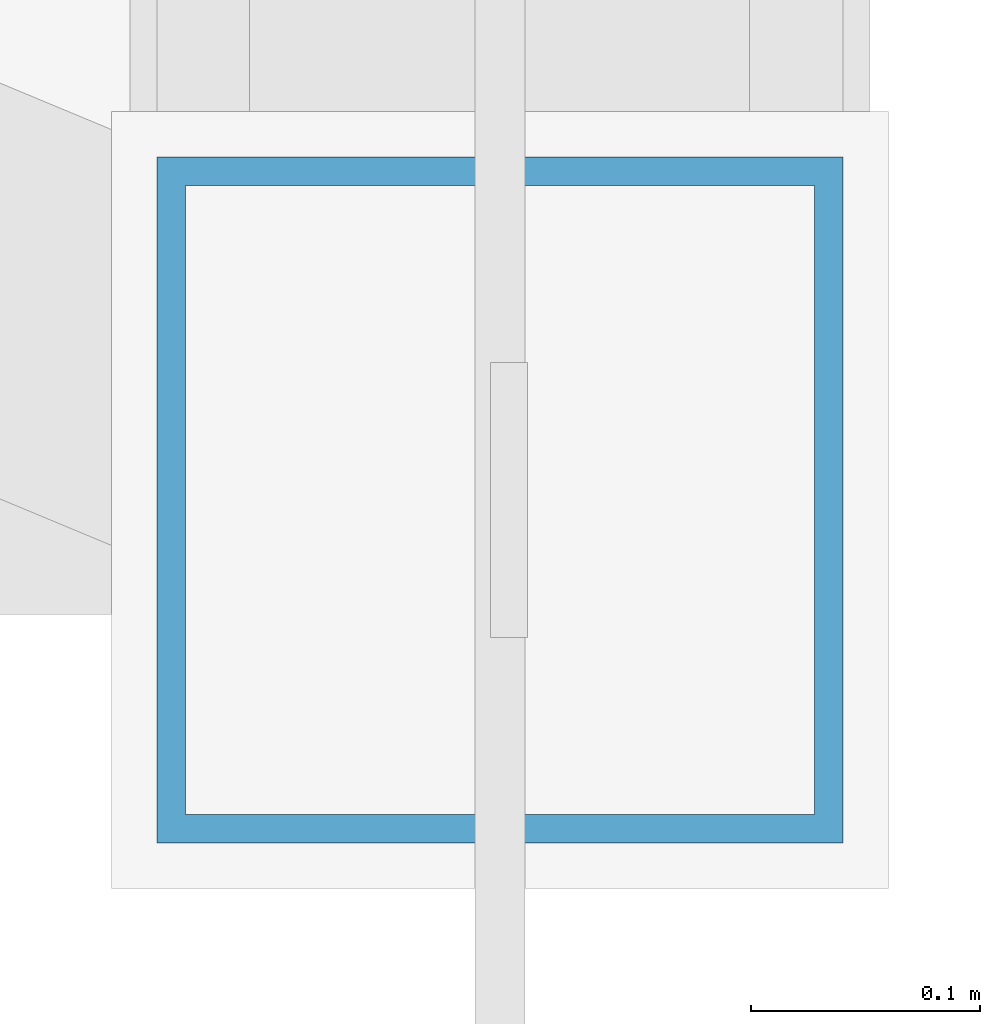
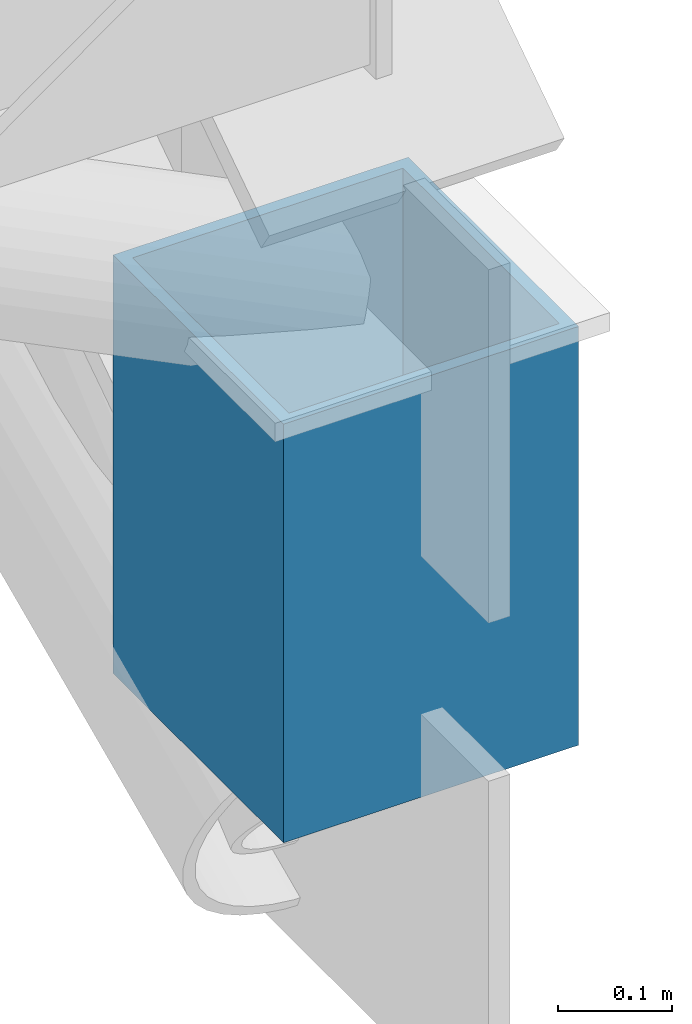
# One storey, part 4 of 63: 1 column.
"""IFC4 building model written with IfcOpenShell, lengths in metres."""

from ifc_helpers import new_model, si_unit, direction, frame, origin, origin_2d, place, context, subcontext, project, spatial, hollow_rectangle, extrude, material, material_profile, profile_set, type_object, element, save


model = new_model("IFC4")

# Units and contexts
model_context = context("Model", 3, precision=1e-05, world=origin(), true_north=direction((0.0, 1.0)))
body_context = subcontext(model_context, "Body", "Model", "MODEL_VIEW")
ifc_project = project(units=[si_unit("LENGTHUNIT", "METRE"), si_unit("AREAUNIT", "SQUARE_METRE"), si_unit("VOLUMEUNIT", "CUBIC_METRE"), si_unit("PLANEANGLEUNIT", "RADIAN"), si_unit("MASSUNIT", "GRAM", prefix="KILO")], contexts=[model_context])

# Site, building, storey
site_placement = place(None, origin())
site = spatial("IfcSite", under=ifc_project, at=site_placement, CompositionType="ELEMENT")
building_placement = place(site_placement, origin())
building = spatial("IfcBuilding", under=site, at=building_placement, Name="Solvadek Multi-Sports Hall", CompositionType="ELEMENT")
storey_placement = place(building_placement, frame((0.0, 0.0, 19.199951171875)))
storey = spatial("IfcBuildingStorey", under=building, at=storey_placement, Name="RF", CompositionType="ELEMENT", Elevation=19.199951171875)

# Column
ifc_material = material(Name="Steel E350 (350 MPa)", Category="steel")
ifc_material_profile = material_profile(ifc_material, hollow_rectangle(XDim=0.300048828125, YDim=0.300048828125, WallThickness=0.012451171875, at=origin_2d()), Name="SHS 300x300x12.5")
ifc_profile_set = profile_set([ifc_material_profile], Name="Steel E350 (350 MPa)")
column_type = type_object("IfcColumnType", Name="STR-COL-SHS300", PredefinedType="COLUMN", material=ifc_profile_set)
column_placement = place(storey_placement, frame((136.800048828125, 6.0, -4.0), z_axis=(0.0, 0.0, 1.0), x_axis=(1.0, 0.0, 0.0)))
element("IfcColumn", 1, at=column_placement, inside=storey, type_object=column_type, Name="v1 Truss 8 Bearing Post", PredefinedType="COLUMN", context=body_context, shape_type="SweptSolid", body=[
    extrude(hollow_rectangle(XDim=0.300048828125, YDim=0.300048828125, WallThickness=0.012451171875, at=origin_2d()), origin(), (0.0, 0.0, 1.0), 0.449951171875),
])

save(model, "model.ifc")
